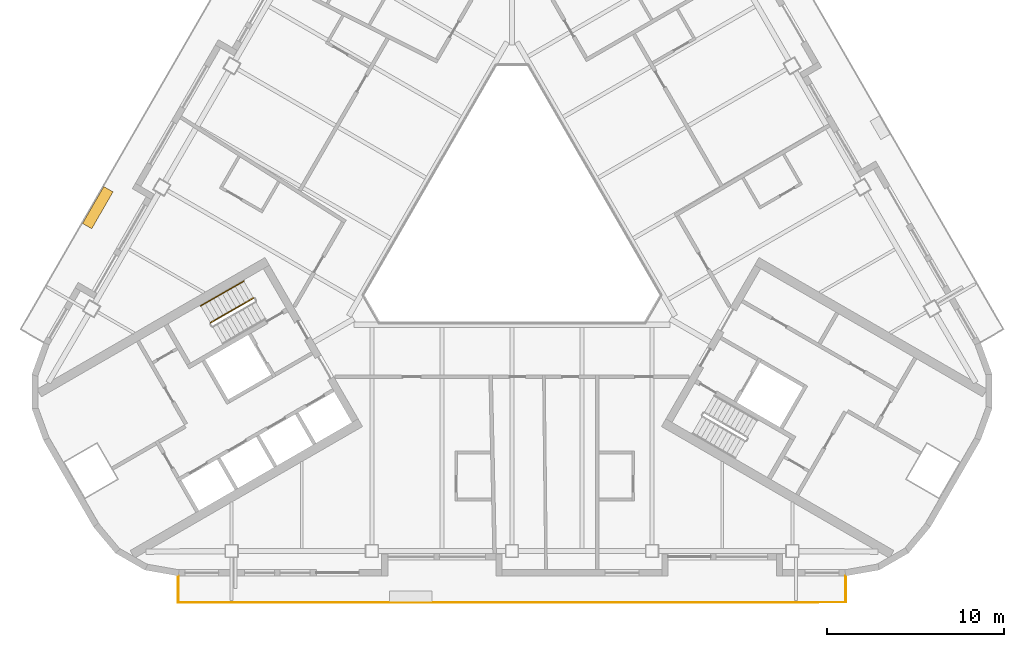
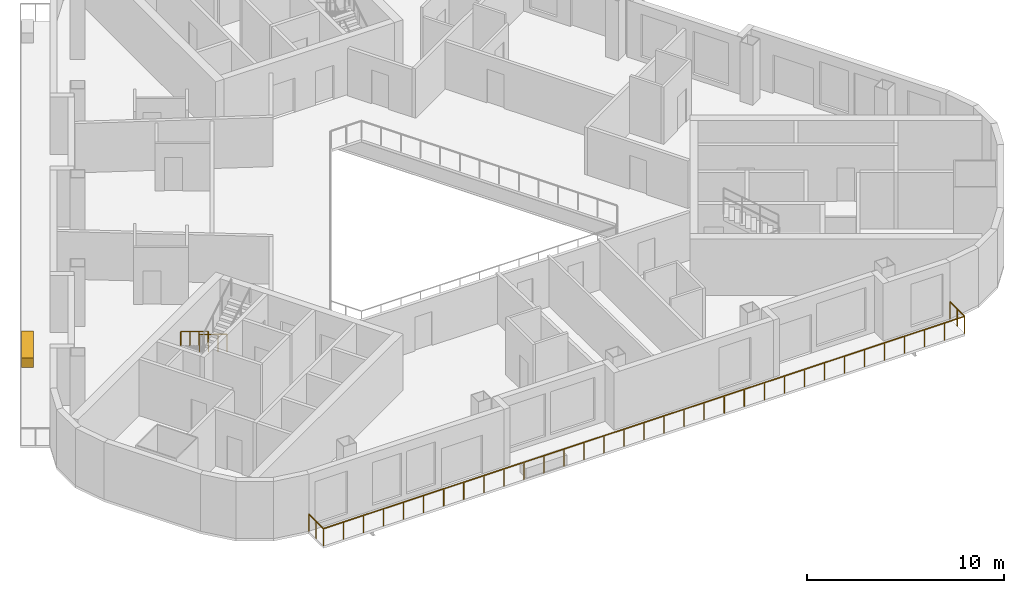
# One storey, part 9 of 13: 3 railings, 1 covering.
"""IFC4 building model written with IfcOpenShell, lengths in metres."""

from ifc_helpers import new_model, si_unit, direction, frame, origin, origin_2d, place, context, subcontext, project, spatial, rectangle, circle, extrude, material, type_object, element, save


model = new_model("IFC4")

# Units and contexts
model_context = context("Model", 3, precision=1e-05, world=origin(), true_north=direction((0.0, 1.0)))
body_context = subcontext(model_context, "Body", "Model", "MODEL_VIEW")
ifc_project = project(units=[si_unit("LENGTHUNIT", "METRE"), si_unit("AREAUNIT", "SQUARE_METRE"), si_unit("VOLUMEUNIT", "CUBIC_METRE"), si_unit("PLANEANGLEUNIT", "RADIAN"), si_unit("MASSUNIT", "GRAM", prefix="KILO")], contexts=[model_context])

# Site, building, storey
site_placement = place(None, origin())
site = spatial("IfcSite", under=ifc_project, at=site_placement, CompositionType="ELEMENT")
building_placement = place(site_placement, origin())
building = spatial("IfcBuilding", under=site, at=building_placement, Name="Apuvela Tower Hotel", CompositionType="ELEMENT")
storey_placement = place(building_placement, frame((0.0, 0.0, 194.699951171875)))
storey = spatial("IfcBuildingStorey", under=building, at=storey_placement, Name="L47", CompositionType="ELEMENT", Elevation=194.699951171875)

# Railings
ifc_material_1 = material(Name="Steel S275 balustrade", Category="steel")
railing_type_1 = type_object("IfcRailingType", Name="COR-GUARD-1100", PredefinedType="GUARDRAIL", material=ifc_material_1)
railing_1_placement = place(storey_placement, frame((-14.569091796875, -3.9658203125, 0.168212890625)))
element("IfcRailing", 1, at=railing_1_placement, inside=storey, type_object=railing_type_1, Name="L47 ST2 stair guard 1", PredefinedType="GUARDRAIL", context=body_context, shape_type="SweptSolid", body=[
    extrude(rectangle(XDim=0.048095703125, YDim=0.048095703125, at=origin_2d()), frame((0.0, 0.0, 1.076171875), z_axis=(-0.742390482028, -0.42860119049, 0.514934356695), x_axis=(0.49998411664, -0.866034573852, 0.0)), (0.0, 0.0, 1.0), 3.26611328125),
    extrude(rectangle(XDim=0.0419921875, YDim=0.0419921875, at=origin_2d()), origin(), (0.0, 0.0, 1.0), 1.052001953125),
    extrude(rectangle(XDim=0.0419921875, YDim=0.0419921875, at=origin_2d()), frame((-0.808349609375, -0.466552734375, 0.560546875)), (0.0, 0.0, 1.0), 1.052001953125),
    extrude(rectangle(XDim=0.0419921875, YDim=0.0419921875, at=origin_2d()), frame((-1.616455078125, -0.933349609375, 1.121337890625)), (0.0, 0.0, 1.0), 1.052001953125),
    extrude(rectangle(XDim=0.0419921875, YDim=0.0419921875, at=origin_2d()), frame((-2.4248046875, -1.39990234375, 1.681884765625)), (0.0, 0.0, 1.0), 1.052001953125),
])
ifc_material_2 = material(Name="Stainless steel 316 handrail", Category="steel")
railing_type_2 = type_object("IfcRailingType", Name="COR-HANDRAIL-900", PredefinedType="HANDRAIL", material=ifc_material_2)
railing_2_placement = place(storey_placement, frame((-15.118896484375, -3.01318359375, 0.168212890625)))
element("IfcRailing", 2, at=railing_2_placement, inside=storey, type_object=railing_type_2, Name="L47 ST2 stair handrail 1", PredefinedType="HANDRAIL", context=body_context, shape_type="SweptSolid", body=[
    extrude(circle(Radius=0.02392578125, at=origin_2d()), frame((0.0, 0.0, 0.8759765625), z_axis=(-0.742424030051, -0.428577407461, 0.514905783049), x_axis=(0.49994636267, -0.866056369097, 0.0)), (0.0, 0.0, 1.0), 3.266357421875),
    extrude(rectangle(XDim=0.0419921875, YDim=0.0419921875, at=origin_2d()), origin(), (0.0, 0.0, 1.0), 0.851806640625),
    extrude(rectangle(XDim=0.0419921875, YDim=0.0419921875, at=origin_2d()), frame((-0.808349609375, -0.466552734375, 0.560546875)), (0.0, 0.0, 1.0), 0.851806640625),
    extrude(rectangle(XDim=0.0419921875, YDim=0.0419921875, at=origin_2d()), frame((-1.61669921875, -0.933349609375, 1.121337890625)), (0.0, 0.0, 1.0), 0.851806640625),
    extrude(rectangle(XDim=0.0419921875, YDim=0.0419921875, at=origin_2d()), frame((-2.425048828125, -1.39990234375, 1.681884765625)), (0.0, 0.0, 1.0), 0.851806640625),
])
ifc_material_3 = material(Name="Stainless steel 316 rail with laminated glass infill", Category="steel")
railing_type_3 = type_object("IfcRailingType", Name="ENV-GUARD-1100", PredefinedType="GUARDRAIL", material=ifc_material_3)
railing_3_placement = place(storey_placement, frame((-18.81591796875, -19.6298828125, 0.0)))
element("IfcRailing", 3, at=railing_3_placement, inside=storey, type_object=railing_type_3, Name="Balcony guard S L47", PredefinedType="GUARDRAIL", context=body_context, shape_type="SweptSolid", body=[
    extrude(rectangle(XDim=0.050048828125, YDim=0.050048828125, at=origin_2d()), frame((0.0, 0.0, 1.0751953125), z_axis=(0.0, -1.0, 0.0), x_axis=(1.0, 0.0, 0.0)), (0.0, 0.0, 1.0), 1.5),
    extrude(rectangle(XDim=0.050048828125, YDim=0.050048828125, at=origin_2d()), frame((0.0, -1.5, 1.0751953125), z_axis=(1.0, 0.0, 0.0), x_axis=(0.0, 1.0, 0.0)), (0.0, 0.0, 1.0), 37.6318359375),
    extrude(rectangle(XDim=0.050048828125, YDim=0.050048828125, at=origin_2d()), frame((37.6318359375, -1.5, 1.0751953125), z_axis=(0.0, 1.0, 0.0), x_axis=(-1.0, 0.0, 0.0)), (0.0, 0.0, 1.0), 1.5),
    extrude(rectangle(XDim=0.0400390625, YDim=0.0400390625, at=origin_2d()), origin(), (0.0, 0.0, 1.0), 1.050048828125),
    extrude(rectangle(XDim=0.0400390625, YDim=0.0400390625, at=origin_2d()), frame((0.0, -0.75, 0.0)), (0.0, 0.0, 1.0), 1.050048828125),
    extrude(rectangle(XDim=0.0400390625, YDim=0.0400390625, at=origin_2d()), frame((0.0, -1.5, 0.0)), (0.0, 0.0, 1.0), 1.050048828125),
    extrude(rectangle(XDim=0.0400390625, YDim=0.0400390625, at=origin_2d()), frame((1.176025390625, -1.5, 0.0)), (0.0, 0.0, 1.0), 1.050048828125),
    extrude(rectangle(XDim=0.0400390625, YDim=0.0400390625, at=origin_2d()), frame((2.35205078125, -1.5, 0.0)), (0.0, 0.0, 1.0), 1.050048828125),
    extrude(rectangle(XDim=0.0400390625, YDim=0.0400390625, at=origin_2d()), frame((3.528076171875, -1.5, 0.0)), (0.0, 0.0, 1.0), 1.050048828125),
    extrude(rectangle(XDim=0.0400390625, YDim=0.0400390625, at=origin_2d()), frame((4.7041015625, -1.5, 0.0)), (0.0, 0.0, 1.0), 1.050048828125),
    extrude(rectangle(XDim=0.0400390625, YDim=0.0400390625, at=origin_2d()), frame((5.8798828125, -1.5, 0.0)), (0.0, 0.0, 1.0), 1.050048828125),
    extrude(rectangle(XDim=0.0400390625, YDim=0.0400390625, at=origin_2d()), frame((7.055908203125, -1.5, 0.0)), (0.0, 0.0, 1.0), 1.050048828125),
    extrude(rectangle(XDim=0.0400390625, YDim=0.0400390625, at=origin_2d()), frame((8.23193359375, -1.5, 0.0)), (0.0, 0.0, 1.0), 1.050048828125),
    extrude(rectangle(XDim=0.0400390625, YDim=0.0400390625, at=origin_2d()), frame((9.407958984375, -1.5, 0.0)), (0.0, 0.0, 1.0), 1.050048828125),
    extrude(rectangle(XDim=0.0400390625, YDim=0.0400390625, at=origin_2d()), frame((10.583984375, -1.5, 0.0)), (0.0, 0.0, 1.0), 1.050048828125),
    extrude(rectangle(XDim=0.0400390625, YDim=0.0400390625, at=origin_2d()), frame((11.760009765625, -1.5, 0.0)), (0.0, 0.0, 1.0), 1.050048828125),
    extrude(rectangle(XDim=0.0400390625, YDim=0.0400390625, at=origin_2d()), frame((12.93603515625, -1.5, 0.0)), (0.0, 0.0, 1.0), 1.050048828125),
    extrude(rectangle(XDim=0.0400390625, YDim=0.0400390625, at=origin_2d()), frame((14.11181640625, -1.5, 0.0)), (0.0, 0.0, 1.0), 1.050048828125),
    extrude(rectangle(XDim=0.0400390625, YDim=0.0400390625, at=origin_2d()), frame((15.287841796875, -1.5, 0.0)), (0.0, 0.0, 1.0), 1.050048828125),
    extrude(rectangle(XDim=0.0400390625, YDim=0.0400390625, at=origin_2d()), frame((16.4638671875, -1.5, 0.0)), (0.0, 0.0, 1.0), 1.050048828125),
    extrude(rectangle(XDim=0.0400390625, YDim=0.0400390625, at=origin_2d()), frame((17.639892578125, -1.5, 0.0)), (0.0, 0.0, 1.0), 1.050048828125),
    extrude(rectangle(XDim=0.0400390625, YDim=0.0400390625, at=origin_2d()), frame((18.81591796875, -1.5, 0.0)), (0.0, 0.0, 1.0), 1.050048828125),
    extrude(rectangle(XDim=0.0400390625, YDim=0.0400390625, at=origin_2d()), frame((19.991943359375, -1.5, 0.0)), (0.0, 0.0, 1.0), 1.050048828125),
    extrude(rectangle(XDim=0.0400390625, YDim=0.0400390625, at=origin_2d()), frame((21.16796875, -1.5, 0.0)), (0.0, 0.0, 1.0), 1.050048828125),
    extrude(rectangle(XDim=0.0400390625, YDim=0.0400390625, at=origin_2d()), frame((22.343994140625, -1.5, 0.0)), (0.0, 0.0, 1.0), 1.050048828125),
    extrude(rectangle(XDim=0.0400390625, YDim=0.0400390625, at=origin_2d()), frame((23.52001953125, -1.5, 0.0)), (0.0, 0.0, 1.0), 1.050048828125),
    extrude(rectangle(XDim=0.0400390625, YDim=0.0400390625, at=origin_2d()), frame((24.69580078125, -1.5, 0.0)), (0.0, 0.0, 1.0), 1.050048828125),
    extrude(rectangle(XDim=0.0400390625, YDim=0.0400390625, at=origin_2d()), frame((25.871826171875, -1.5, 0.0)), (0.0, 0.0, 1.0), 1.050048828125),
    extrude(rectangle(XDim=0.0400390625, YDim=0.0400390625, at=origin_2d()), frame((27.0478515625, -1.5, 0.0)), (0.0, 0.0, 1.0), 1.050048828125),
    extrude(rectangle(XDim=0.0400390625, YDim=0.0400390625, at=origin_2d()), frame((28.223876953125, -1.5, 0.0)), (0.0, 0.0, 1.0), 1.050048828125),
    extrude(rectangle(XDim=0.0400390625, YDim=0.0400390625, at=origin_2d()), frame((29.39990234375, -1.5, 0.0)), (0.0, 0.0, 1.0), 1.050048828125),
    extrude(rectangle(XDim=0.0400390625, YDim=0.0400390625, at=origin_2d()), frame((30.575927734375, -1.5, 0.0)), (0.0, 0.0, 1.0), 1.050048828125),
    extrude(rectangle(XDim=0.0400390625, YDim=0.0400390625, at=origin_2d()), frame((31.751953125, -1.5, 0.0)), (0.0, 0.0, 1.0), 1.050048828125),
    extrude(rectangle(XDim=0.0400390625, YDim=0.0400390625, at=origin_2d()), frame((32.927734375, -1.5, 0.0)), (0.0, 0.0, 1.0), 1.050048828125),
    extrude(rectangle(XDim=0.0400390625, YDim=0.0400390625, at=origin_2d()), frame((34.103759765625, -1.5, 0.0)), (0.0, 0.0, 1.0), 1.050048828125),
    extrude(rectangle(XDim=0.0400390625, YDim=0.0400390625, at=origin_2d()), frame((35.27978515625, -1.5, 0.0)), (0.0, 0.0, 1.0), 1.050048828125),
    extrude(rectangle(XDim=0.0400390625, YDim=0.0400390625, at=origin_2d()), frame((36.455810546875, -1.5, 0.0)), (0.0, 0.0, 1.0), 1.050048828125),
    extrude(rectangle(XDim=0.0400390625, YDim=0.0400390625, at=origin_2d()), frame((37.6318359375, -1.5, 0.0)), (0.0, 0.0, 1.0), 1.050048828125),
    extrude(rectangle(XDim=0.0400390625, YDim=0.0400390625, at=origin_2d()), frame((37.6318359375, -0.75, 0.0)), (0.0, 0.0, 1.0), 1.050048828125),
    extrude(rectangle(XDim=0.0400390625, YDim=0.0400390625, at=origin_2d()), frame((37.6318359375, 0.0, 0.0)), (0.0, 0.0, 1.0), 1.050048828125),
])

# Covering
ifc_material_4 = material(Name="Planting substrate and soil, planted")
covering_type = type_object("IfcCoveringType", Name="ENV-PLANTER-2400x600", PredefinedType="USERDEFINED", material=ifc_material_4)
covering_placement = place(storey_placement, frame((-23.345947265625, 1.12353515625, 0.0), z_axis=(0.0, 0.0, 1.0), x_axis=(-0.5, -0.866025403784, 0.0)))
element("IfcCovering", 4, at=covering_placement, inside=storey, type_object=covering_type, Name="Planter NW5", ObjectType="PLANTER", PredefinedType="USERDEFINED", context=body_context, shape_type="SweptSolid", body=[
    extrude(rectangle(XDim=2.39990234375, YDim=0.60009765625, at=origin_2d()), origin(), (0.0, 0.0, 1.0), 0.60009765625),
])

save(model, "model.ifc")
